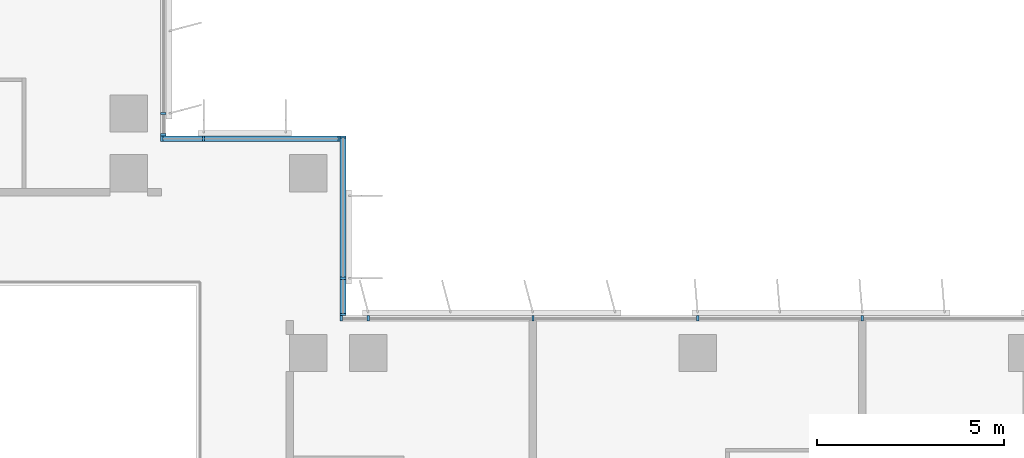
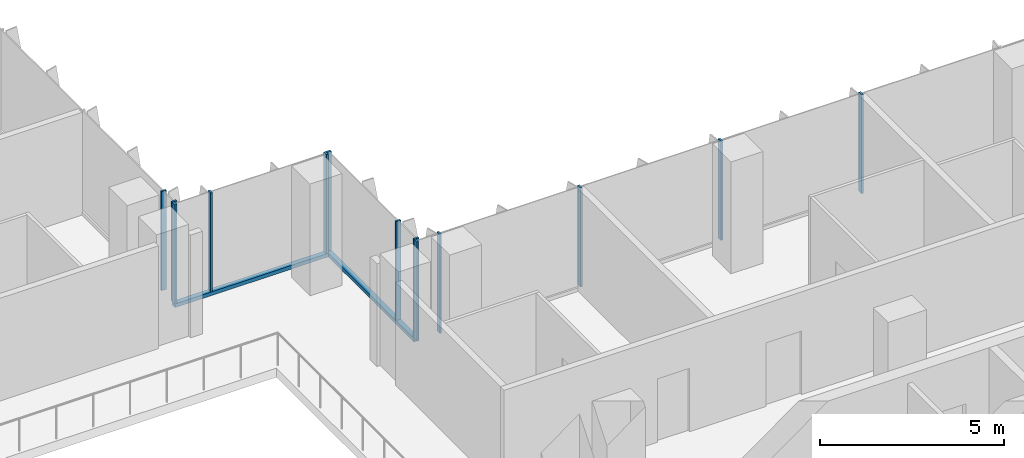
# One storey, part 2 of 21: 15 members, 4 elements without a shape of their own.
"""IFC4 building model written with IfcOpenShell, lengths in metres."""

from ifc_helpers import new_model, si_unit, direction, frame, origin, origin_2d, place, context, subcontext, project, spatial, rectangle, extrude, source, transform, mapped, material, material_profile, profile_set, type_object, element, aggregate, save


model = new_model("IFC4")

# Units and contexts
model_context = context("Model", 3, precision=1e-05, world=origin(), true_north=direction((0.0, 1.0)))
body_context = subcontext(model_context, "Body", "Model", "MODEL_VIEW")
ifc_project = project(units=[si_unit("LENGTHUNIT", "METRE"), si_unit("AREAUNIT", "SQUARE_METRE"), si_unit("VOLUMEUNIT", "CUBIC_METRE"), si_unit("PLANEANGLEUNIT", "RADIAN"), si_unit("MASSUNIT", "GRAM", prefix="KILO")], contexts=[model_context])

# Site, building, storey
site_placement = place(None, origin())
site = spatial("IfcSite", under=ifc_project, at=site_placement, CompositionType="ELEMENT")
building_placement = place(site_placement, origin())
building = spatial("IfcBuilding", under=site, at=building_placement, Name="Kemantara Hotel Tower", CompositionType="ELEMENT")
storey_placement = place(building_placement, frame((0.0, 0.0, 179.0)))
storey = spatial("IfcBuildingStorey", under=building, at=storey_placement, Name="L44", CompositionType="ELEMENT", Elevation=179.0)

# Curtain wall, member
ifc_material_1 = material(Name="Low-E tinted double insulated glass 36 mm", Category="glass")
curtain_wall_type = type_object("IfcCurtainWallType", Name="TOWER CURTAIN WALL, FRONT FACES", PredefinedType="USERDEFINED", material=ifc_material_1)
curtain_wall_1_placement = place(storey_placement, origin())
curtain_wall_1 = element("IfcCurtainWall", 1, at=curtain_wall_1_placement, inside=storey, type_object=curtain_wall_type, Name="CW4 L44 T3-R15-1", ObjectType="TOWER CURTAIN WALL, FRONT FACES", PredefinedType="USERDEFINED")
ifc_material_2 = material(Name="Aluminium 6063-T6 bronze anodised", Category="aluminium")
ifc_material_profile_1 = material_profile(ifc_material_2, rectangle(XDim=0.14990234375, YDim=0.1201171875, at=origin_2d()), Name="TOWER CURTAIN WALL, FRONT FACES TRANSOM")
ifc_profile_set_1 = profile_set([ifc_material_profile_1], Name="Aluminium 6063-T6 bronze anodised")
member_type_1 = type_object("IfcMemberType", Name="TOWER CURTAIN WALL, FRONT FACES TRANSOM", PredefinedType="USERDEFINED", material=ifc_profile_set_1)
member_1_placement = place(storey_placement, frame((26.72509765625, 22.0, 0.06005859375), z_axis=(0.0, 1.0, 0.0), x_axis=(-1.0, 0.0, 0.0)))
member_1 = element("IfcMember", 2, at=member_1_placement, type_object=member_type_1, Name="CW4 sill transom T3-R15-1", ObjectType="TRANSOM", PredefinedType="USERDEFINED", context=body_context, shape_type="SweptSolid", body=[
    extrude(rectangle(XDim=0.14990234375, YDim=0.1201171875, at=origin_2d()), origin(), (0.0, 0.0, 1.0), 4.800048828125),
])

curtain_wall_2_placement = place(storey_placement, origin())
curtain_wall_2 = element("IfcCurtainWall", 3, at=curtain_wall_2_placement, inside=storey, type_object=curtain_wall_type, Name="CW4 L44 T3-R16-1", ObjectType="TOWER CURTAIN WALL, FRONT FACES", PredefinedType="USERDEFINED")
member_2_placement = place(storey_placement, frame((26.64990234375, 26.72509765625, 0.06005859375), z_axis=(-1.0, 0.0, 0.0), x_axis=(0.0, -1.0, 0.0)))
member_2 = element("IfcMember", 4, at=member_2_placement, type_object=member_type_1, Name="CW4 sill transom T3-R16-1", ObjectType="TRANSOM", PredefinedType="USERDEFINED", context=body_context, shape_type="SweptSolid", body=[
    extrude(rectangle(XDim=0.14990234375, YDim=0.1201171875, at=origin_2d()), origin(), (0.0, 0.0, 1.0), 4.7998046875),
])

# Curtain wall, members
curtain_wall_3_placement = place(storey_placement, origin())
curtain_wall_3 = element("IfcCurtainWall", 5, at=curtain_wall_3_placement, inside=storey, type_object=curtain_wall_type, Name="CW4 L44 T3-R14-1", ObjectType="TOWER CURTAIN WALL, FRONT FACES", PredefinedType="USERDEFINED")
ifc_material_profile_2 = material_profile(ifc_material_2, rectangle(XDim=0.14990234375, YDim=0.06005859375, at=origin_2d()), Name="TOWER CURTAIN WALL, FRONT FACES MULLION")
ifc_profile_set_2 = profile_set([ifc_material_profile_2], Name="Aluminium 6063-T6 bronze anodised")
member_type_2 = type_object("IfcMemberType", Name="TOWER CURTAIN WALL, FRONT FACES MULLION", PredefinedType="MULLION", material=ifc_profile_set_2)
shared_shape = source(origin(), body_context, "Body", "SweptSolid", [
    extrude(rectangle(XDim=0.14990234375, YDim=0.06005859375, at=origin_2d()), origin(), (0.0, 0.0, 1.0), 3.27978515625),
])
member_3_placement = place(storey_placement, frame((40.60009765625, 21.925048828125, 0.1201171875), z_axis=(0.0, 0.0, 1.0), x_axis=(0.0, -1.0, 0.0)))
member_3 = element("IfcMember", 6, at=member_3_placement, type_object=member_type_2, Name="CW4 mullion T3-R14-1.6", PredefinedType="MULLION", context=body_context, shape_type="MappedRepresentation", body=[
    mapped(shared_shape, transform((0.0, 0.0, 0.0))),
])
member_4_placement = place(storey_placement, frame((36.199951171875, 21.925048828125, 0.1201171875), z_axis=(0.0, 0.0, 1.0), x_axis=(0.0, -1.0, 0.0)))
member_4 = element("IfcMember", 7, at=member_4_placement, type_object=member_type_2, Name="CW4 mullion T3-R14-1.7", PredefinedType="MULLION", context=body_context, shape_type="MappedRepresentation", body=[
    mapped(shared_shape, transform((0.0, 0.0, 0.0))),
])
member_5_placement = place(storey_placement, frame((31.800048828125, 21.925048828125, 0.1201171875), z_axis=(0.0, 0.0, 1.0), x_axis=(0.0, -1.0, 0.0)))
member_5 = element("IfcMember", 8, at=member_5_placement, type_object=member_type_2, Name="CW4 mullion T3-R14-1.8", PredefinedType="MULLION", context=body_context, shape_type="MappedRepresentation", body=[
    mapped(shared_shape, transform((0.0, 0.0, 0.0))),
])
member_6_placement = place(storey_placement, frame((27.39990234375, 21.925048828125, 0.1201171875), z_axis=(0.0, 0.0, 1.0), x_axis=(0.0, -1.0, 0.0)))
member_6 = element("IfcMember", 9, at=member_6_placement, type_object=member_type_2, Name="CW4 mullion T3-R14-1.9", PredefinedType="MULLION", context=body_context, shape_type="MappedRepresentation", body=[
    mapped(shared_shape, transform((0.0, 0.0, 0.0))),
])
member_7_placement = place(storey_placement, frame((26.679931640625, 21.925048828125, 0.1201171875), z_axis=(0.0, 0.0, 1.0), x_axis=(0.0, -1.0, 0.0)))
member_7 = element("IfcMember", 10, at=member_7_placement, type_object=member_type_2, Name="CW4 mullion T3-R14-1.10", PredefinedType="MULLION", context=body_context, shape_type="MappedRepresentation", body=[
    mapped(shared_shape, transform((0.0, 0.0, 0.0))),
])
aggregate(curtain_wall_3, [member_3, member_4, member_5, member_6, member_7])

# Member
member_8_placement = place(storey_placement, frame((26.72509765625, 22.030029296875, 0.1201171875), z_axis=(0.0, 0.0, 1.0), x_axis=(-1.0, 0.0, 0.0)))
member_8 = element("IfcMember", 11, at=member_8_placement, type_object=member_type_2, Name="CW4 mullion T3-R15-1.1", PredefinedType="MULLION", context=body_context, shape_type="MappedRepresentation", body=[
    mapped(shared_shape, transform((0.0, 0.0, 0.0))),
])

member_9_placement = place(storey_placement, frame((26.72509765625, 23.0, 0.1201171875), z_axis=(0.0, 0.0, 1.0), x_axis=(-1.0, 0.0, 0.0)))
member_9 = element("IfcMember", 12, at=member_9_placement, type_object=member_type_2, Name="CW4 mullion T3-R15-1.2", PredefinedType="MULLION", context=body_context, shape_type="MappedRepresentation", body=[
    mapped(shared_shape, transform((0.0, 0.0, 0.0))),
])

member_10_placement = place(storey_placement, frame((26.72509765625, 26.77001953125, 0.1201171875), z_axis=(0.0, 0.0, 1.0), x_axis=(-1.0, 0.0, 0.0)))
member_10 = element("IfcMember", 13, at=member_10_placement, type_object=member_type_2, Name="CW4 mullion T3-R15-1.3", PredefinedType="MULLION", context=body_context, shape_type="MappedRepresentation", body=[
    mapped(shared_shape, transform((0.0, 0.0, 0.0))),
])

aggregate(curtain_wall_1, [member_1, member_8, member_9, member_10])

member_11_placement = place(storey_placement, frame((26.6201171875, 26.72509765625, 0.1201171875), z_axis=(0.0, 0.0, 1.0), x_axis=(0.0, -1.0, 0.0)))
member_11 = element("IfcMember", 14, at=member_11_placement, type_object=member_type_2, Name="CW4 mullion T3-R16-1.1", PredefinedType="MULLION", context=body_context, shape_type="MappedRepresentation", body=[
    mapped(shared_shape, transform((0.0, 0.0, 0.0))),
])

member_12_placement = place(storey_placement, frame((23.0, 26.72509765625, 0.1201171875), z_axis=(0.0, 0.0, 1.0), x_axis=(0.0, -1.0, 0.0)))
member_12 = element("IfcMember", 15, at=member_12_placement, type_object=member_type_2, Name="CW4 mullion T3-R16-1.2", PredefinedType="MULLION", context=body_context, shape_type="MappedRepresentation", body=[
    mapped(shared_shape, transform((0.0, 0.0, 0.0))),
])

member_13_placement = place(storey_placement, frame((21.8798828125, 26.72509765625, 0.1201171875), z_axis=(0.0, 0.0, 1.0), x_axis=(0.0, -1.0, 0.0)))
member_13 = element("IfcMember", 16, at=member_13_placement, type_object=member_type_2, Name="CW4 mullion T3-R16-1.3", PredefinedType="MULLION", context=body_context, shape_type="MappedRepresentation", body=[
    mapped(shared_shape, transform((0.0, 0.0, 0.0))),
])

aggregate(curtain_wall_2, [member_2, member_11, member_12, member_13])

# Curtain wall, members
curtain_wall_4_placement = place(storey_placement, origin())
curtain_wall_4 = element("IfcCurtainWall", 17, at=curtain_wall_4_placement, inside=storey, type_object=curtain_wall_type, Name="CW4 L44 T3-R17-1", ObjectType="TOWER CURTAIN WALL, FRONT FACES", PredefinedType="USERDEFINED")
member_14_placement = place(storey_placement, frame((21.925048828125, 26.830078125, 0.1201171875), z_axis=(0.0, 0.0, 1.0), x_axis=(-1.0, 0.0, 0.0)))
member_14 = element("IfcMember", 18, at=member_14_placement, type_object=member_type_2, Name="CW4 mullion T3-R17-1.1", PredefinedType="MULLION", context=body_context, shape_type="MappedRepresentation", body=[
    mapped(shared_shape, transform((0.0, 0.0, 0.0))),
])
member_15_placement = place(storey_placement, frame((21.925048828125, 27.39990234375, 0.1201171875), z_axis=(0.0, 0.0, 1.0), x_axis=(-1.0, 0.0, 0.0)))
member_15 = element("IfcMember", 19, at=member_15_placement, type_object=member_type_2, Name="CW4 mullion T3-R17-1.2", PredefinedType="MULLION", context=body_context, shape_type="MappedRepresentation", body=[
    mapped(shared_shape, transform((0.0, 0.0, 0.0))),
])
aggregate(curtain_wall_4, [member_14, member_15])

save(model, "model.ifc")
